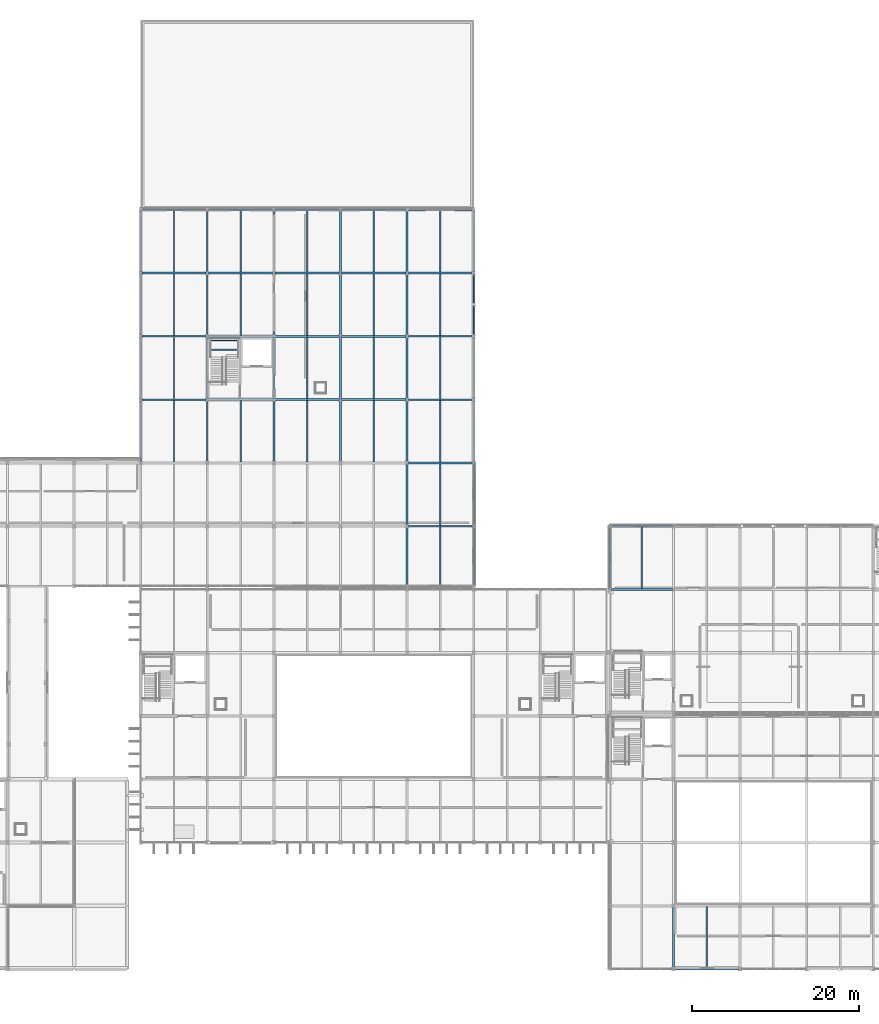
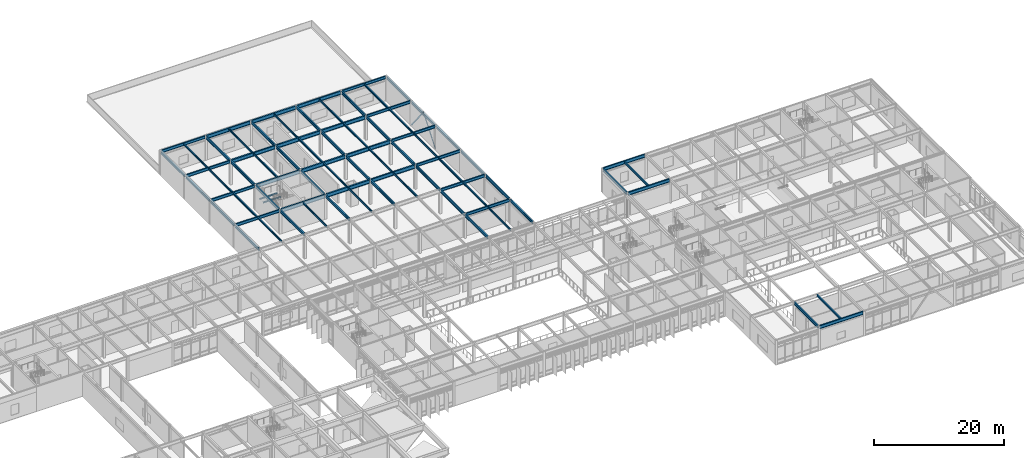
# One storey, part 57 of 104: 80 beams, 2 members.
"""IFC4 building model written with IfcOpenShell, lengths in metres."""

from ifc_helpers import new_model, si_unit, direction, frame, origin, origin_2d, place, context, subcontext, project, spatial, hollow_rectangle, i_section, extrude, material, material_profile, profile_set, type_object, element, save


model = new_model("IFC4")

# Units and contexts
model_context = context("Model", 3, precision=1e-05, world=origin(), true_north=direction((0.0, 1.0)))
body_context = subcontext(model_context, "Body", "Model", "MODEL_VIEW")
ifc_project = project(units=[si_unit("LENGTHUNIT", "METRE"), si_unit("AREAUNIT", "SQUARE_METRE"), si_unit("VOLUMEUNIT", "CUBIC_METRE"), si_unit("PLANEANGLEUNIT", "RADIAN"), si_unit("MASSUNIT", "GRAM", prefix="KILO")], contexts=[model_context])

# Site, building, storey
site_placement = place(None, origin())
site = spatial("IfcSite", under=ifc_project, at=site_placement, CompositionType="ELEMENT")
building_placement = place(site_placement, origin())
building = spatial("IfcBuilding", under=site, at=building_placement, Name="Zulena Civic Courthouse", CompositionType="ELEMENT")
storey_placement = place(building_placement, frame((0.0, 0.0, 10.800048828125)))
storey = spatial("IfcBuildingStorey", under=building, at=storey_placement, Name="L02", CompositionType="ELEMENT", Elevation=10.800048828125)

# Members
ifc_material_1 = material(Name="Steel ASTM A500 Grade C", Category="steel")
ifc_material_profile_1 = material_profile(ifc_material_1, hollow_rectangle(XDim=0.10205078125, YDim=0.202880859375, WallThickness=0.0087890625, at=origin_2d()), Name="HSS8X4X3/8")
ifc_profile_set_1 = profile_set([ifc_material_profile_1], Name="Steel ASTM A500 Grade C")
member_type = type_object("IfcMemberType", Name="Brace_HSS8X4", PredefinedType="BRACE", material=ifc_profile_set_1)
for number, where, z_axis, x_axis, name in (
    (1, (108.0, 76.14990234375, 0.010009765625), (0.0, 0.620488442429, 0.784215590774), (-1.0, 0.0, 0.0), "brace:V5:L02:6:0"),
    (2, (108.0, 83.449951171875, 0.010009765625), (0.0, -0.620462563433, 0.784236066104), (1.0, 0.0, 0.0), "brace:V5:L02:6:1"),
):
    element("IfcMember", number, at=place(storey_placement, frame(where, z_axis=z_axis, x_axis=x_axis)), inside=storey, type_object=member_type, Name=name, PredefinedType="BRACE", context=body_context, shape_type="SweptSolid", body=[
        extrude(hollow_rectangle(XDim=0.10205078125, YDim=0.202880859375, WallThickness=0.0087890625, at=origin_2d()), origin(), (0.0, 0.0, 1.0), 5.802001953125),
    ])

# Beams
ifc_material_2 = material(Name="Steel ASTM A992 Grade 50", Category="steel")
ifc_material_profile_2 = material_profile(ifc_material_2, i_section(OverallWidth=0.2099609375, OverallDepth=0.537109375, WebThickness=0.010986328125, FlangeThickness=0.017333984375, FilletRadius=0.0126953125, at=origin_2d()), Name="W21X68")
ifc_profile_set_2 = profile_set([ifc_material_profile_2], Name="Steel ASTM A992 Grade 50")
beam_type_1 = type_object("IfcBeamType", Name="Girder_W21X68", PredefinedType="BEAM", material=ifc_profile_set_2)
beam_1_placement = place(storey_placement, frame((76.0, 60.945068359375, 4.321533203125), z_axis=(0.0, 1.0, 0.0), x_axis=(-1.0, 0.0, 0.0)))
element("IfcBeam", 3, at=beam_1_placement, inside=storey, type_object=beam_type_1, Name="beam:Y:V5:L02:76.0:60.8_68.4", PredefinedType="BEAM", context=body_context, shape_type="SweptSolid", body=[
    extrude(i_section(OverallWidth=0.2099609375, OverallDepth=0.537109375, WebThickness=0.010986328125, FlangeThickness=0.017333984375, FilletRadius=0.0126953125, at=origin_2d()), origin(), (0.0, 0.0, 1.0), 7.309814453125),
])
for number, where, z_axis, x_axis, name in (
    (4, (76.0, 68.544921875, 4.321533203125), (0.0, 1.0, 0.0), (-1.0, 0.0, 0.0), "beam:Y:V5:L02:76.0:68.4_76.0"),
    (5, (76.0, 76.14501953125, 4.321533203125), (0.0, 1.0, 0.0), (-1.0, 0.0, 0.0), "beam:Y:V5:L02:76.0:76.0_83.6"),
):
    element("IfcBeam", number, at=place(storey_placement, frame(where, z_axis=z_axis, x_axis=x_axis)), inside=storey, type_object=beam_type_1, Name=name, PredefinedType="BEAM", context=body_context, shape_type="SweptSolid", body=[
        extrude(i_section(OverallWidth=0.2099609375, OverallDepth=0.537109375, WebThickness=0.010986328125, FlangeThickness=0.017333984375, FilletRadius=0.0126953125, at=origin_2d()), origin(), (0.0, 0.0, 1.0), 7.31005859375),
    ])
beam_2_placement = place(storey_placement, frame((84.0, 60.945068359375, 4.321533203125), z_axis=(0.0, 1.0, 0.0), x_axis=(-1.0, 0.0, 0.0)))
element("IfcBeam", 6, at=beam_2_placement, inside=storey, type_object=beam_type_1, Name="beam:Y:V5:L02:84.0:60.8_68.4", PredefinedType="BEAM", context=body_context, shape_type="SweptSolid", body=[
    extrude(i_section(OverallWidth=0.2099609375, OverallDepth=0.537109375, WebThickness=0.010986328125, FlangeThickness=0.017333984375, FilletRadius=0.0126953125, at=origin_2d()), origin(), (0.0, 0.0, 1.0), 7.309814453125),
])
for number, where, z_axis, x_axis, name in (
    (7, (84.0, 68.544921875, 4.321533203125), (0.0, 1.0, 0.0), (-1.0, 0.0, 0.0), "beam:Y:V5:L02:84.0:68.4_76.0"),
    (8, (84.0, 76.14501953125, 4.321533203125), (0.0, 1.0, 0.0), (-1.0, 0.0, 0.0), "beam:Y:V5:L02:84.0:76.0_83.6"),
):
    element("IfcBeam", number, at=place(storey_placement, frame(where, z_axis=z_axis, x_axis=x_axis)), inside=storey, type_object=beam_type_1, Name=name, PredefinedType="BEAM", context=body_context, shape_type="SweptSolid", body=[
        extrude(i_section(OverallWidth=0.2099609375, OverallDepth=0.537109375, WebThickness=0.010986328125, FlangeThickness=0.017333984375, FilletRadius=0.0126953125, at=origin_2d()), origin(), (0.0, 0.0, 1.0), 7.31005859375),
    ])
beam_3_placement = place(storey_placement, frame((92.0, 60.945068359375, 4.321533203125), z_axis=(0.0, 1.0, 0.0), x_axis=(-1.0, 0.0, 0.0)))
element("IfcBeam", 9, at=beam_3_placement, inside=storey, type_object=beam_type_1, Name="beam:Y:V5:L02:92.0:60.8_68.4", PredefinedType="BEAM", context=body_context, shape_type="SweptSolid", body=[
    extrude(i_section(OverallWidth=0.2099609375, OverallDepth=0.537109375, WebThickness=0.010986328125, FlangeThickness=0.017333984375, FilletRadius=0.0126953125, at=origin_2d()), origin(), (0.0, 0.0, 1.0), 7.309814453125),
])
for number, where, z_axis, x_axis, name in (
    (10, (92.0, 68.544921875, 4.321533203125), (0.0, 1.0, 0.0), (-1.0, 0.0, 0.0), "beam:Y:V5:L02:92.0:68.4_76.0"),
    (11, (92.0, 76.14501953125, 4.321533203125), (0.0, 1.0, 0.0), (-1.0, 0.0, 0.0), "beam:Y:V5:L02:92.0:76.0_83.6"),
    (12, (100.0, 53.344970703125, 4.321533203125), (0.0, 1.0, 0.0), (-1.0, 0.0, 0.0), "beam:Y:V5:L02:100.0:53.2_60.8"),
):
    element("IfcBeam", number, at=place(storey_placement, frame(where, z_axis=z_axis, x_axis=x_axis)), inside=storey, type_object=beam_type_1, Name=name, PredefinedType="BEAM", context=body_context, shape_type="SweptSolid", body=[
        extrude(i_section(OverallWidth=0.2099609375, OverallDepth=0.537109375, WebThickness=0.010986328125, FlangeThickness=0.017333984375, FilletRadius=0.0126953125, at=origin_2d()), origin(), (0.0, 0.0, 1.0), 7.31005859375),
    ])
beam_4_placement = place(storey_placement, frame((100.0, 60.945068359375, 4.321533203125), z_axis=(0.0, 1.0, 0.0), x_axis=(-1.0, 0.0, 0.0)))
element("IfcBeam", 13, at=beam_4_placement, inside=storey, type_object=beam_type_1, Name="beam:Y:V5:L02:100.0:60.8_68.4", PredefinedType="BEAM", context=body_context, shape_type="SweptSolid", body=[
    extrude(i_section(OverallWidth=0.2099609375, OverallDepth=0.537109375, WebThickness=0.010986328125, FlangeThickness=0.017333984375, FilletRadius=0.0126953125, at=origin_2d()), origin(), (0.0, 0.0, 1.0), 7.309814453125),
])
for number, where, z_axis, x_axis, name in (
    (14, (100.0, 68.544921875, 4.321533203125), (0.0, 1.0, 0.0), (-1.0, 0.0, 0.0), "beam:Y:V5:L02:100.0:68.4_76.0"),
    (15, (100.0, 76.14501953125, 4.321533203125), (0.0, 1.0, 0.0), (-1.0, 0.0, 0.0), "beam:Y:V5:L02:100.0:76.0_83.6"),
):
    element("IfcBeam", number, at=place(storey_placement, frame(where, z_axis=z_axis, x_axis=x_axis)), inside=storey, type_object=beam_type_1, Name=name, PredefinedType="BEAM", context=body_context, shape_type="SweptSolid", body=[
        extrude(i_section(OverallWidth=0.2099609375, OverallDepth=0.537109375, WebThickness=0.010986328125, FlangeThickness=0.017333984375, FilletRadius=0.0126953125, at=origin_2d()), origin(), (0.0, 0.0, 1.0), 7.31005859375),
    ])
ifc_material_profile_3 = material_profile(ifc_material_2, i_section(OverallWidth=0.25390625, OverallDepth=0.68798828125, WebThickness=0.01318359375, FlangeThickness=0.02099609375, FilletRadius=0.0166015625, at=origin_2d()), Name="W27X102")
ifc_profile_set_3 = profile_set([ifc_material_profile_3], Name="Steel ASTM A992 Grade 50")
beam_type_2 = type_object("IfcBeamType", Name="Girder_W27X102", PredefinedType="BEAM", material=ifc_profile_set_3)
for number, where, z_axis, x_axis, name in (
    (16, (76.14501953125, 68.39990234375, 4.245849609375), (1.0, 0.0, 0.0), (0.0, 1.0, 0.0), "beam:X:V5:L02:68.4:76.0_84.0"),
    (17, (84.14501953125, 68.39990234375, 4.245849609375), (1.0, 0.0, 0.0), (0.0, 1.0, 0.0), "beam:X:V5:L02:68.4:84.0_92.0"),
    (18, (92.14501953125, 68.39990234375, 4.245849609375), (1.0, 0.0, 0.0), (0.0, 1.0, 0.0), "beam:X:V5:L02:68.4:92.0_100.0"),
    (19, (76.14501953125, 76.0, 4.245849609375), (1.0, 0.0, 0.0), (0.0, 1.0, 0.0), "beam:X:V5:L02:76.0:76.0_84.0"),
    (20, (84.14501953125, 76.0, 4.245849609375), (1.0, 0.0, 0.0), (0.0, 1.0, 0.0), "beam:X:V5:L02:76.0:84.0_92.0"),
    (21, (92.14501953125, 76.0, 4.245849609375), (1.0, 0.0, 0.0), (0.0, 1.0, 0.0), "beam:X:V5:L02:76.0:92.0_100.0"),
    (22, (76.14501953125, 83.60009765625, 4.245849609375), (1.0, 0.0, 0.0), (0.0, 1.0, 0.0), "beam:X:V5:L02:83.6:76.0_84.0"),
    (23, (84.14501953125, 83.60009765625, 4.245849609375), (1.0, 0.0, 0.0), (0.0, 1.0, 0.0), "beam:X:V5:L02:83.6:84.0_92.0"),
    (24, (92.14501953125, 83.60009765625, 4.245849609375), (1.0, 0.0, 0.0), (0.0, 1.0, 0.0), "beam:X:V5:L02:83.6:92.0_100.0"),
    (25, (76.14501953125, 91.199951171875, 4.245849609375), (1.0, 0.0, 0.0), (0.0, 1.0, 0.0), "beam:X:V5:L02:91.2:76.0_84.0"),
    (26, (84.14501953125, 91.199951171875, 4.245849609375), (1.0, 0.0, 0.0), (0.0, 1.0, 0.0), "beam:X:V5:L02:91.2:84.0_92.0"),
    (27, (92.14501953125, 91.199951171875, 4.245849609375), (1.0, 0.0, 0.0), (0.0, 1.0, 0.0), "beam:X:V5:L02:91.2:92.0_100.0"),
):
    element("IfcBeam", number, at=place(storey_placement, frame(where, z_axis=z_axis, x_axis=x_axis)), inside=storey, type_object=beam_type_2, Name=name, PredefinedType="BEAM", context=body_context, shape_type="SweptSolid", body=[
        extrude(i_section(OverallWidth=0.25390625, OverallDepth=0.68798828125, WebThickness=0.01318359375, FlangeThickness=0.02099609375, FilletRadius=0.0166015625, at=origin_2d()), origin(), (0.0, 0.0, 1.0), 7.7099609375),
    ])
ifc_material_profile_4 = material_profile(ifc_material_2, i_section(OverallWidth=0.14599609375, OverallDepth=0.258056640625, WebThickness=0.006103515625, FlangeThickness=0.009033203125, FilletRadius=0.007568359375, at=origin_2d()), Name="W10X22")
ifc_profile_set_4 = profile_set([ifc_material_profile_4], Name="Steel ASTM A992 Grade 50")
beam_type_3 = type_object("IfcBeamType", Name="Joist_W10X22", PredefinedType="JOIST", material=ifc_profile_set_4)
for number, where, z_axis, x_axis, name in (
    (28, (76.419921875, 74.39990234375, 1.990966796875), (1.0, 0.0, 0.0), (0.0, 1.0, 0.0), "beam:lnd:K5B:L02:0"),
    (29, (76.419921875, 75.5, 1.990966796875), (1.0, 0.0, 0.0), (0.0, 1.0, 0.0), "beam:lnd:K5B:L02:1"),
):
    element("IfcBeam", number, at=place(storey_placement, frame(where, z_axis=z_axis, x_axis=x_axis)), inside=storey, type_object=beam_type_3, Name=name, PredefinedType="JOIST", context=body_context, shape_type="SweptSolid", body=[
        extrude(i_section(OverallWidth=0.14599609375, OverallDepth=0.258056640625, WebThickness=0.006103515625, FlangeThickness=0.009033203125, FilletRadius=0.007568359375, at=origin_2d()), origin(), (0.0, 0.0, 1.0), 3.2001953125),
    ])
ifc_material_profile_5 = material_profile(ifc_material_2, i_section(OverallWidth=0.1708984375, OverallDepth=0.35205078125, WebThickness=0.0068359375, FlangeThickness=0.009765625, FilletRadius=0.01025390625, at=origin_2d()), Name="W14X30")
ifc_profile_set_5 = profile_set([ifc_material_profile_5], Name="Steel ASTM A992 Grade 50")
beam_type_4 = type_object("IfcBeamType", Name="Joist_W14X30", PredefinedType="JOIST", material=ifc_profile_set_5)
beam_5_placement = place(storey_placement, frame((72.0, 60.905029296875, 4.4140625), z_axis=(0.0, 1.0, 0.0), x_axis=(-1.0, 0.0, 0.0)))
element("IfcBeam", 30, at=beam_5_placement, inside=storey, type_object=beam_type_4, Name="joist:V5:L02:72.00:60.8_68.4", PredefinedType="JOIST", context=body_context, shape_type="SweptSolid", body=[
    extrude(i_section(OverallWidth=0.1708984375, OverallDepth=0.35205078125, WebThickness=0.0068359375, FlangeThickness=0.009765625, FilletRadius=0.01025390625, at=origin_2d()), origin(), (0.0, 0.0, 1.0), 7.389892578125),
])
for number, where, z_axis, x_axis, name in (
    (31, (72.0, 68.5048828125, 4.4140625), (0.0, 1.0, 0.0), (-1.0, 0.0, 0.0), "joist:V5:L02:72.00:68.4_76.0"),
    (32, (72.0, 76.10498046875, 4.4140625), (0.0, 1.0, 0.0), (-1.0, 0.0, 0.0), "joist:V5:L02:72.00:76.0_83.6"),
):
    element("IfcBeam", number, at=place(storey_placement, frame(where, z_axis=z_axis, x_axis=x_axis)), inside=storey, type_object=beam_type_4, Name=name, PredefinedType="JOIST", context=body_context, shape_type="SweptSolid", body=[
        extrude(i_section(OverallWidth=0.1708984375, OverallDepth=0.35205078125, WebThickness=0.0068359375, FlangeThickness=0.009765625, FilletRadius=0.01025390625, at=origin_2d()), origin(), (0.0, 0.0, 1.0), 7.39013671875),
    ])
for number, where, z_axis, x_axis, name in (
    (33, (72.0, 83.705078125, 4.4140625), (0.0, 1.0, 0.0), (-1.0, 0.0, 0.0), "joist:V5:L02:72.00:83.6_91.2"),
    (34, (80.0, 60.905029296875, 4.4140625), (0.0, 1.0, 0.0), (-1.0, 0.0, 0.0), "joist:V5:L02:80.00:60.8_68.4"),
):
    element("IfcBeam", number, at=place(storey_placement, frame(where, z_axis=z_axis, x_axis=x_axis)), inside=storey, type_object=beam_type_4, Name=name, PredefinedType="JOIST", context=body_context, shape_type="SweptSolid", body=[
        extrude(i_section(OverallWidth=0.1708984375, OverallDepth=0.35205078125, WebThickness=0.0068359375, FlangeThickness=0.009765625, FilletRadius=0.01025390625, at=origin_2d()), origin(), (0.0, 0.0, 1.0), 7.389892578125),
    ])
beam_6_placement = place(storey_placement, frame((80.0, 76.10498046875, 4.4140625), z_axis=(0.0, 1.0, 0.0), x_axis=(-1.0, 0.0, 0.0)))
element("IfcBeam", 35, at=beam_6_placement, inside=storey, type_object=beam_type_4, Name="joist:V5:L02:80.00:76.0_83.6", PredefinedType="JOIST", context=body_context, shape_type="SweptSolid", body=[
    extrude(i_section(OverallWidth=0.1708984375, OverallDepth=0.35205078125, WebThickness=0.0068359375, FlangeThickness=0.009765625, FilletRadius=0.01025390625, at=origin_2d()), origin(), (0.0, 0.0, 1.0), 7.39013671875),
])
for number, where, z_axis, x_axis, name in (
    (36, (80.0, 83.705078125, 4.4140625), (0.0, 1.0, 0.0), (-1.0, 0.0, 0.0), "joist:V5:L02:80.00:83.6_91.2"),
    (37, (88.0, 60.905029296875, 4.4140625), (0.0, 1.0, 0.0), (-1.0, 0.0, 0.0), "joist:V5:L02:88.00:60.8_68.4"),
):
    element("IfcBeam", number, at=place(storey_placement, frame(where, z_axis=z_axis, x_axis=x_axis)), inside=storey, type_object=beam_type_4, Name=name, PredefinedType="JOIST", context=body_context, shape_type="SweptSolid", body=[
        extrude(i_section(OverallWidth=0.1708984375, OverallDepth=0.35205078125, WebThickness=0.0068359375, FlangeThickness=0.009765625, FilletRadius=0.01025390625, at=origin_2d()), origin(), (0.0, 0.0, 1.0), 7.389892578125),
    ])
for number, where, z_axis, x_axis, name in (
    (38, (88.0, 68.5048828125, 4.4140625), (0.0, 1.0, 0.0), (-1.0, 0.0, 0.0), "joist:V5:L02:88.00:68.4_76.0"),
    (39, (88.0, 76.10498046875, 4.4140625), (0.0, 1.0, 0.0), (-1.0, 0.0, 0.0), "joist:V5:L02:88.00:76.0_83.6"),
):
    element("IfcBeam", number, at=place(storey_placement, frame(where, z_axis=z_axis, x_axis=x_axis)), inside=storey, type_object=beam_type_4, Name=name, PredefinedType="JOIST", context=body_context, shape_type="SweptSolid", body=[
        extrude(i_section(OverallWidth=0.1708984375, OverallDepth=0.35205078125, WebThickness=0.0068359375, FlangeThickness=0.009765625, FilletRadius=0.01025390625, at=origin_2d()), origin(), (0.0, 0.0, 1.0), 7.39013671875),
    ])
for number, where, z_axis, x_axis, name in (
    (40, (88.0, 83.705078125, 4.4140625), (0.0, 1.0, 0.0), (-1.0, 0.0, 0.0), "joist:V5:L02:88.00:83.6_91.2"),
    (41, (96.0, 60.905029296875, 4.4140625), (0.0, 1.0, 0.0), (-1.0, 0.0, 0.0), "joist:V5:L02:96.00:60.8_68.4"),
):
    element("IfcBeam", number, at=place(storey_placement, frame(where, z_axis=z_axis, x_axis=x_axis)), inside=storey, type_object=beam_type_4, Name=name, PredefinedType="JOIST", context=body_context, shape_type="SweptSolid", body=[
        extrude(i_section(OverallWidth=0.1708984375, OverallDepth=0.35205078125, WebThickness=0.0068359375, FlangeThickness=0.009765625, FilletRadius=0.01025390625, at=origin_2d()), origin(), (0.0, 0.0, 1.0), 7.389892578125),
    ])
for number, where, z_axis, x_axis, name in (
    (42, (96.0, 68.5048828125, 4.4140625), (0.0, 1.0, 0.0), (-1.0, 0.0, 0.0), "joist:V5:L02:96.00:68.4_76.0"),
    (43, (96.0, 76.10498046875, 4.4140625), (0.0, 1.0, 0.0), (-1.0, 0.0, 0.0), "joist:V5:L02:96.00:76.0_83.6"),
):
    element("IfcBeam", number, at=place(storey_placement, frame(where, z_axis=z_axis, x_axis=x_axis)), inside=storey, type_object=beam_type_4, Name=name, PredefinedType="JOIST", context=body_context, shape_type="SweptSolid", body=[
        extrude(i_section(OverallWidth=0.1708984375, OverallDepth=0.35205078125, WebThickness=0.0068359375, FlangeThickness=0.009765625, FilletRadius=0.01025390625, at=origin_2d()), origin(), (0.0, 0.0, 1.0), 7.39013671875),
    ])
beam_7_placement = place(storey_placement, frame((96.0, 83.705078125, 4.4140625), z_axis=(0.0, 1.0, 0.0), x_axis=(-1.0, 0.0, 0.0)))
element("IfcBeam", 44, at=beam_7_placement, inside=storey, type_object=beam_type_4, Name="joist:V5:L02:96.00:83.6_91.2", PredefinedType="JOIST", context=body_context, shape_type="SweptSolid", body=[
    extrude(i_section(OverallWidth=0.1708984375, OverallDepth=0.35205078125, WebThickness=0.0068359375, FlangeThickness=0.009765625, FilletRadius=0.01025390625, at=origin_2d()), origin(), (0.0, 0.0, 1.0), 7.389892578125),
])
beam_8_placement = place(storey_placement, frame((104.0, 46.10498046875, 4.4140625), z_axis=(0.0, 1.0, 0.0), x_axis=(-1.0, 0.0, 0.0)))
element("IfcBeam", 45, at=beam_8_placement, inside=storey, type_object=beam_type_4, Name="joist:V5:L02:104.00:46.0_53.2", PredefinedType="JOIST", context=body_context, shape_type="SweptSolid", body=[
    extrude(i_section(OverallWidth=0.1708984375, OverallDepth=0.35205078125, WebThickness=0.0068359375, FlangeThickness=0.009765625, FilletRadius=0.01025390625, at=origin_2d()), origin(), (0.0, 0.0, 1.0), 6.989990234375),
])
beam_9_placement = place(storey_placement, frame((104.0, 53.304931640625, 4.4140625), z_axis=(0.0, 1.0, 0.0), x_axis=(-1.0, 0.0, 0.0)))
element("IfcBeam", 46, at=beam_9_placement, inside=storey, type_object=beam_type_4, Name="joist:V5:L02:104.00:53.2_60.8", PredefinedType="JOIST", context=body_context, shape_type="SweptSolid", body=[
    extrude(i_section(OverallWidth=0.1708984375, OverallDepth=0.35205078125, WebThickness=0.0068359375, FlangeThickness=0.009765625, FilletRadius=0.01025390625, at=origin_2d()), origin(), (0.0, 0.0, 1.0), 7.39013671875),
])
beam_10_placement = place(storey_placement, frame((104.0, 60.905029296875, 4.4140625), z_axis=(0.0, 1.0, 0.0), x_axis=(-1.0, 0.0, 0.0)))
element("IfcBeam", 47, at=beam_10_placement, inside=storey, type_object=beam_type_4, Name="joist:V5:L02:104.00:60.8_68.4", PredefinedType="JOIST", context=body_context, shape_type="SweptSolid", body=[
    extrude(i_section(OverallWidth=0.1708984375, OverallDepth=0.35205078125, WebThickness=0.0068359375, FlangeThickness=0.009765625, FilletRadius=0.01025390625, at=origin_2d()), origin(), (0.0, 0.0, 1.0), 7.389892578125),
])
for number, where, z_axis, x_axis, name in (
    (48, (104.0, 68.5048828125, 4.4140625), (0.0, 1.0, 0.0), (-1.0, 0.0, 0.0), "joist:V5:L02:104.00:68.4_76.0"),
    (49, (104.0, 76.10498046875, 4.4140625), (0.0, 1.0, 0.0), (-1.0, 0.0, 0.0), "joist:V5:L02:104.00:76.0_83.6"),
):
    element("IfcBeam", number, at=place(storey_placement, frame(where, z_axis=z_axis, x_axis=x_axis)), inside=storey, type_object=beam_type_4, Name=name, PredefinedType="JOIST", context=body_context, shape_type="SweptSolid", body=[
        extrude(i_section(OverallWidth=0.1708984375, OverallDepth=0.35205078125, WebThickness=0.0068359375, FlangeThickness=0.009765625, FilletRadius=0.01025390625, at=origin_2d()), origin(), (0.0, 0.0, 1.0), 7.39013671875),
    ])
beam_11_placement = place(storey_placement, frame((104.0, 83.705078125, 4.4140625), z_axis=(0.0, 1.0, 0.0), x_axis=(-1.0, 0.0, 0.0)))
element("IfcBeam", 50, at=beam_11_placement, inside=storey, type_object=beam_type_4, Name="joist:V5:L02:104.00:83.6_91.2", PredefinedType="JOIST", context=body_context, shape_type="SweptSolid", body=[
    extrude(i_section(OverallWidth=0.1708984375, OverallDepth=0.35205078125, WebThickness=0.0068359375, FlangeThickness=0.009765625, FilletRadius=0.01025390625, at=origin_2d()), origin(), (0.0, 0.0, 1.0), 7.389892578125),
])
ifc_material_profile_6 = material_profile(ifc_material_2, i_section(OverallWidth=0.177978515625, OverallDepth=0.406005859375, WebThickness=0.0078125, FlangeThickness=0.0126953125, FilletRadius=0.01025390625, at=origin_2d()), Name="W16X40")
ifc_profile_set_6 = profile_set([ifc_material_profile_6], Name="Steel ASTM A992 Grade 50")
beam_type_5 = type_object("IfcBeamType", Name="Joist_W16X40", PredefinedType="JOIST", material=ifc_profile_set_6)
beam_12_placement = place(storey_placement, frame((136.0, 0.10498046875, 4.386962890625), z_axis=(0.0, 1.0, 0.0), x_axis=(-1.0, 0.0, 0.0)))
element("IfcBeam", 51, at=beam_12_placement, inside=storey, type_object=beam_type_5, Name="joist:V1:L02:136.00:0.0_7.6", PredefinedType="JOIST", context=body_context, shape_type="SweptSolid", body=[
    extrude(i_section(OverallWidth=0.177978515625, OverallDepth=0.406005859375, WebThickness=0.0078125, FlangeThickness=0.0126953125, FilletRadius=0.01025390625, at=origin_2d()), origin(), (0.0, 0.0, 1.0), 7.39013671875),
])
beam_13_placement = place(storey_placement, frame((128.199951171875, 45.705078125, 4.386962890625), z_axis=(0.0, 1.0, 0.0), x_axis=(-1.0, 0.0, 0.0)))
element("IfcBeam", 52, at=beam_13_placement, inside=storey, type_object=beam_type_5, Name="joist:V3:L02:128.20:45.6_53.2", PredefinedType="JOIST", context=body_context, shape_type="SweptSolid", body=[
    extrude(i_section(OverallWidth=0.177978515625, OverallDepth=0.406005859375, WebThickness=0.0078125, FlangeThickness=0.0126953125, FilletRadius=0.01025390625, at=origin_2d()), origin(), (0.0, 0.0, 1.0), 7.389892578125),
])
ifc_material_profile_7 = material_profile(ifc_material_2, i_section(OverallWidth=0.2099609375, OverallDepth=0.537109375, WebThickness=0.010986328125, FlangeThickness=0.017333984375, FilletRadius=0.0126953125, at=origin_2d()), Name="W21X68")
ifc_profile_set_7 = profile_set([ifc_material_profile_7], Name="Steel ASTM A992 Grade 50")
beam_type_6 = type_object("IfcBeamType", Name="Spandrel_W21X68", PredefinedType="SPANDREL", material=ifc_profile_set_7)
beam_14_placement = place(storey_placement, frame((132.0, 0.14501953125, 4.321533203125), z_axis=(0.0, 1.0, 0.0), x_axis=(-1.0, 0.0, 0.0)))
element("IfcBeam", 53, at=beam_14_placement, inside=storey, type_object=beam_type_6, Name="beam:Y:V1:L02:132.0:0.0_7.6", PredefinedType="SPANDREL", context=body_context, shape_type="SweptSolid", body=[
    extrude(i_section(OverallWidth=0.2099609375, OverallDepth=0.537109375, WebThickness=0.010986328125, FlangeThickness=0.017333984375, FilletRadius=0.0126953125, at=origin_2d()), origin(), (0.0, 0.0, 1.0), 7.31005859375),
])
beam_15_placement = place(storey_placement, frame((124.39990234375, 45.7451171875, 4.321533203125), z_axis=(0.0, 1.0, 0.0), x_axis=(-1.0, 0.0, 0.0)))
element("IfcBeam", 54, at=beam_15_placement, inside=storey, type_object=beam_type_6, Name="beam:Y:V3:L02:124.4:45.6_53.2", PredefinedType="SPANDREL", context=body_context, shape_type="SweptSolid", body=[
    extrude(i_section(OverallWidth=0.2099609375, OverallDepth=0.537109375, WebThickness=0.010986328125, FlangeThickness=0.017333984375, FilletRadius=0.0126953125, at=origin_2d()), origin(), (0.0, 0.0, 1.0), 7.309814453125),
])
for number, where, z_axis, x_axis, name in (
    (55, (100.14501953125, 53.199951171875, 4.321533203125), (1.0, 0.0, 0.0), (0.0, 1.0, 0.0), "beam:X:V5:L02:53.2:100.0_108.0"),
    (56, (100.14501953125, 60.800048828125, 4.321533203125), (1.0, 0.0, 0.0), (0.0, 1.0, 0.0), "beam:X:V5:L02:60.8:100.0_108.0"),
    (57, (68.14501953125, 68.39990234375, 4.321533203125), (1.0, 0.0, 0.0), (0.0, 1.0, 0.0), "beam:X:V5:L02:68.4:68.0_76.0"),
    (58, (100.14501953125, 68.39990234375, 4.321533203125), (1.0, 0.0, 0.0), (0.0, 1.0, 0.0), "beam:X:V5:L02:68.4:100.0_108.0"),
    (59, (68.14501953125, 76.0, 4.321533203125), (1.0, 0.0, 0.0), (0.0, 1.0, 0.0), "beam:X:V5:L02:76.0:68.0_76.0"),
    (60, (100.14501953125, 76.0, 4.321533203125), (1.0, 0.0, 0.0), (0.0, 1.0, 0.0), "beam:X:V5:L02:76.0:100.0_108.0"),
    (61, (68.14501953125, 83.60009765625, 4.321533203125), (1.0, 0.0, 0.0), (0.0, 1.0, 0.0), "beam:X:V5:L02:83.6:68.0_76.0"),
    (62, (100.14501953125, 83.60009765625, 4.321533203125), (1.0, 0.0, 0.0), (0.0, 1.0, 0.0), "beam:X:V5:L02:83.6:100.0_108.0"),
    (63, (68.14501953125, 91.199951171875, 4.321533203125), (1.0, 0.0, 0.0), (0.0, 1.0, 0.0), "beam:X:V5:L02:91.2:68.0_76.0"),
    (64, (100.14501953125, 91.199951171875, 4.321533203125), (1.0, 0.0, 0.0), (0.0, 1.0, 0.0), "beam:X:V5:L02:91.2:100.0_108.0"),
):
    element("IfcBeam", number, at=place(storey_placement, frame(where, z_axis=z_axis, x_axis=x_axis)), inside=storey, type_object=beam_type_6, Name=name, PredefinedType="SPANDREL", context=body_context, shape_type="SweptSolid", body=[
        extrude(i_section(OverallWidth=0.2099609375, OverallDepth=0.537109375, WebThickness=0.010986328125, FlangeThickness=0.017333984375, FilletRadius=0.0126953125, at=origin_2d()), origin(), (0.0, 0.0, 1.0), 7.7099609375),
    ])
beam_16_placement = place(storey_placement, frame((68.0, 60.945068359375, 4.321533203125), z_axis=(0.0, 1.0, 0.0), x_axis=(-1.0, 0.0, 0.0)))
element("IfcBeam", 65, at=beam_16_placement, inside=storey, type_object=beam_type_6, Name="beam:Y:V5:L02:68.0:60.8_68.4", PredefinedType="SPANDREL", context=body_context, shape_type="SweptSolid", body=[
    extrude(i_section(OverallWidth=0.2099609375, OverallDepth=0.537109375, WebThickness=0.010986328125, FlangeThickness=0.017333984375, FilletRadius=0.0126953125, at=origin_2d()), origin(), (0.0, 0.0, 1.0), 7.309814453125),
])
for number, where, z_axis, x_axis, name in (
    (66, (68.0, 68.544921875, 4.321533203125), (0.0, 1.0, 0.0), (-1.0, 0.0, 0.0), "beam:Y:V5:L02:68.0:68.4_76.0"),
    (67, (68.0, 76.14501953125, 4.321533203125), (0.0, 1.0, 0.0), (-1.0, 0.0, 0.0), "beam:Y:V5:L02:68.0:76.0_83.6"),
):
    element("IfcBeam", number, at=place(storey_placement, frame(where, z_axis=z_axis, x_axis=x_axis)), inside=storey, type_object=beam_type_6, Name=name, PredefinedType="SPANDREL", context=body_context, shape_type="SweptSolid", body=[
        extrude(i_section(OverallWidth=0.2099609375, OverallDepth=0.537109375, WebThickness=0.010986328125, FlangeThickness=0.017333984375, FilletRadius=0.0126953125, at=origin_2d()), origin(), (0.0, 0.0, 1.0), 7.31005859375),
    ])
for number, where, z_axis, x_axis, name in (
    (68, (68.0, 83.7451171875, 4.321533203125), (0.0, 1.0, 0.0), (-1.0, 0.0, 0.0), "beam:Y:V5:L02:68.0:83.6_91.2"),
    (69, (76.0, 83.7451171875, 4.321533203125), (0.0, 1.0, 0.0), (-1.0, 0.0, 0.0), "beam:Y:V5:L02:76.0:83.6_91.2"),
    (70, (84.0, 83.7451171875, 4.321533203125), (0.0, 1.0, 0.0), (-1.0, 0.0, 0.0), "beam:Y:V5:L02:84.0:83.6_91.2"),
    (71, (92.0, 83.7451171875, 4.321533203125), (0.0, 1.0, 0.0), (-1.0, 0.0, 0.0), "beam:Y:V5:L02:92.0:83.6_91.2"),
):
    element("IfcBeam", number, at=place(storey_placement, frame(where, z_axis=z_axis, x_axis=x_axis)), inside=storey, type_object=beam_type_6, Name=name, PredefinedType="SPANDREL", context=body_context, shape_type="SweptSolid", body=[
        extrude(i_section(OverallWidth=0.2099609375, OverallDepth=0.537109375, WebThickness=0.010986328125, FlangeThickness=0.017333984375, FilletRadius=0.0126953125, at=origin_2d()), origin(), (0.0, 0.0, 1.0), 7.309814453125),
    ])
beam_17_placement = place(storey_placement, frame((100.0, 46.14501953125, 4.321533203125), z_axis=(0.0, 1.0, 0.0), x_axis=(-1.0, 0.0, 0.0)))
element("IfcBeam", 72, at=beam_17_placement, inside=storey, type_object=beam_type_6, Name="beam:Y:V5:L02:100.0:46.0_53.2", PredefinedType="SPANDREL", context=body_context, shape_type="SweptSolid", body=[
    extrude(i_section(OverallWidth=0.2099609375, OverallDepth=0.537109375, WebThickness=0.010986328125, FlangeThickness=0.017333984375, FilletRadius=0.0126953125, at=origin_2d()), origin(), (0.0, 0.0, 1.0), 6.909912109375),
])
beam_18_placement = place(storey_placement, frame((100.0, 83.7451171875, 4.321533203125), z_axis=(0.0, 1.0, 0.0), x_axis=(-1.0, 0.0, 0.0)))
element("IfcBeam", 73, at=beam_18_placement, inside=storey, type_object=beam_type_6, Name="beam:Y:V5:L02:100.0:83.6_91.2", PredefinedType="SPANDREL", context=body_context, shape_type="SweptSolid", body=[
    extrude(i_section(OverallWidth=0.2099609375, OverallDepth=0.537109375, WebThickness=0.010986328125, FlangeThickness=0.017333984375, FilletRadius=0.0126953125, at=origin_2d()), origin(), (0.0, 0.0, 1.0), 7.309814453125),
])
beam_19_placement = place(storey_placement, frame((108.0, 46.14501953125, 4.321533203125), z_axis=(0.0, 1.0, 0.0), x_axis=(-1.0, 0.0, 0.0)))
element("IfcBeam", 74, at=beam_19_placement, inside=storey, type_object=beam_type_6, Name="beam:Y:V5:L02:108.0:46.0_53.2", PredefinedType="SPANDREL", context=body_context, shape_type="SweptSolid", body=[
    extrude(i_section(OverallWidth=0.2099609375, OverallDepth=0.537109375, WebThickness=0.010986328125, FlangeThickness=0.017333984375, FilletRadius=0.0126953125, at=origin_2d()), origin(), (0.0, 0.0, 1.0), 6.909912109375),
])
beam_20_placement = place(storey_placement, frame((108.0, 53.344970703125, 4.321533203125), z_axis=(0.0, 1.0, 0.0), x_axis=(-1.0, 0.0, 0.0)))
element("IfcBeam", 75, at=beam_20_placement, inside=storey, type_object=beam_type_6, Name="beam:Y:V5:L02:108.0:53.2_60.8", PredefinedType="SPANDREL", context=body_context, shape_type="SweptSolid", body=[
    extrude(i_section(OverallWidth=0.2099609375, OverallDepth=0.537109375, WebThickness=0.010986328125, FlangeThickness=0.017333984375, FilletRadius=0.0126953125, at=origin_2d()), origin(), (0.0, 0.0, 1.0), 7.31005859375),
])
beam_21_placement = place(storey_placement, frame((108.0, 60.945068359375, 4.321533203125), z_axis=(0.0, 1.0, 0.0), x_axis=(-1.0, 0.0, 0.0)))
element("IfcBeam", 76, at=beam_21_placement, inside=storey, type_object=beam_type_6, Name="beam:Y:V5:L02:108.0:60.8_68.4", PredefinedType="SPANDREL", context=body_context, shape_type="SweptSolid", body=[
    extrude(i_section(OverallWidth=0.2099609375, OverallDepth=0.537109375, WebThickness=0.010986328125, FlangeThickness=0.017333984375, FilletRadius=0.0126953125, at=origin_2d()), origin(), (0.0, 0.0, 1.0), 7.309814453125),
])
for number, where, z_axis, x_axis, name in (
    (77, (108.0, 68.544921875, 4.321533203125), (0.0, 1.0, 0.0), (-1.0, 0.0, 0.0), "beam:Y:V5:L02:108.0:68.4_76.0"),
    (78, (108.0, 76.14501953125, 4.321533203125), (0.0, 1.0, 0.0), (-1.0, 0.0, 0.0), "beam:Y:V5:L02:108.0:76.0_83.6"),
):
    element("IfcBeam", number, at=place(storey_placement, frame(where, z_axis=z_axis, x_axis=x_axis)), inside=storey, type_object=beam_type_6, Name=name, PredefinedType="SPANDREL", context=body_context, shape_type="SweptSolid", body=[
        extrude(i_section(OverallWidth=0.2099609375, OverallDepth=0.537109375, WebThickness=0.010986328125, FlangeThickness=0.017333984375, FilletRadius=0.0126953125, at=origin_2d()), origin(), (0.0, 0.0, 1.0), 7.31005859375),
    ])
beam_22_placement = place(storey_placement, frame((108.0, 83.7451171875, 4.321533203125), z_axis=(0.0, 1.0, 0.0), x_axis=(-1.0, 0.0, 0.0)))
element("IfcBeam", 79, at=beam_22_placement, inside=storey, type_object=beam_type_6, Name="beam:Y:V5:L02:108.0:83.6_91.2", PredefinedType="SPANDREL", context=body_context, shape_type="SweptSolid", body=[
    extrude(i_section(OverallWidth=0.2099609375, OverallDepth=0.537109375, WebThickness=0.010986328125, FlangeThickness=0.017333984375, FilletRadius=0.0126953125, at=origin_2d()), origin(), (0.0, 0.0, 1.0), 7.309814453125),
])
ifc_material_profile_8 = material_profile(ifc_material_2, i_section(OverallWidth=0.22998046875, OverallDepth=0.616943359375, WebThickness=0.01318359375, FlangeThickness=0.022216796875, FilletRadius=0.0126953125, at=origin_2d()), Name="W24X94")
ifc_profile_set_8 = profile_set([ifc_material_profile_8], Name="Steel ASTM A992 Grade 50")
beam_type_7 = type_object("IfcBeamType", Name="Spandrel_W24X94", PredefinedType="SPANDREL", material=ifc_profile_set_8)
beam_23_placement = place(storey_placement, frame((132.14501953125, 0.0, 4.281494140625), z_axis=(1.0, 0.0, 0.0), x_axis=(0.0, 1.0, 0.0)))
element("IfcBeam", 80, at=beam_23_placement, inside=storey, type_object=beam_type_7, Name="beam:X:V1:L02:0.0:132.0_140.0", PredefinedType="SPANDREL", context=body_context, shape_type="SweptSolid", body=[
    extrude(i_section(OverallWidth=0.22998046875, OverallDepth=0.616943359375, WebThickness=0.01318359375, FlangeThickness=0.022216796875, FilletRadius=0.0126953125, at=origin_2d()), origin(), (0.0, 0.0, 1.0), 7.7099609375),
])
for number, where, z_axis, x_axis, name in (
    (81, (124.544921875, 45.60009765625, 4.281494140625), (1.0, 0.0, 0.0), (0.0, 1.0, 0.0), "beam:X:V3:L02:45.6:124.4_132.0"),
    (82, (124.544921875, 53.199951171875, 4.281494140625), (1.0, 0.0, 0.0), (0.0, 1.0, 0.0), "beam:X:V3:L02:53.2:124.4_132.0"),
):
    element("IfcBeam", number, at=place(storey_placement, frame(where, z_axis=z_axis, x_axis=x_axis)), inside=storey, type_object=beam_type_7, Name=name, PredefinedType="SPANDREL", context=body_context, shape_type="SweptSolid", body=[
        extrude(i_section(OverallWidth=0.22998046875, OverallDepth=0.616943359375, WebThickness=0.01318359375, FlangeThickness=0.022216796875, FilletRadius=0.0126953125, at=origin_2d()), origin(), (0.0, 0.0, 1.0), 7.31005859375),
    ])

save(model, "model.ifc")
